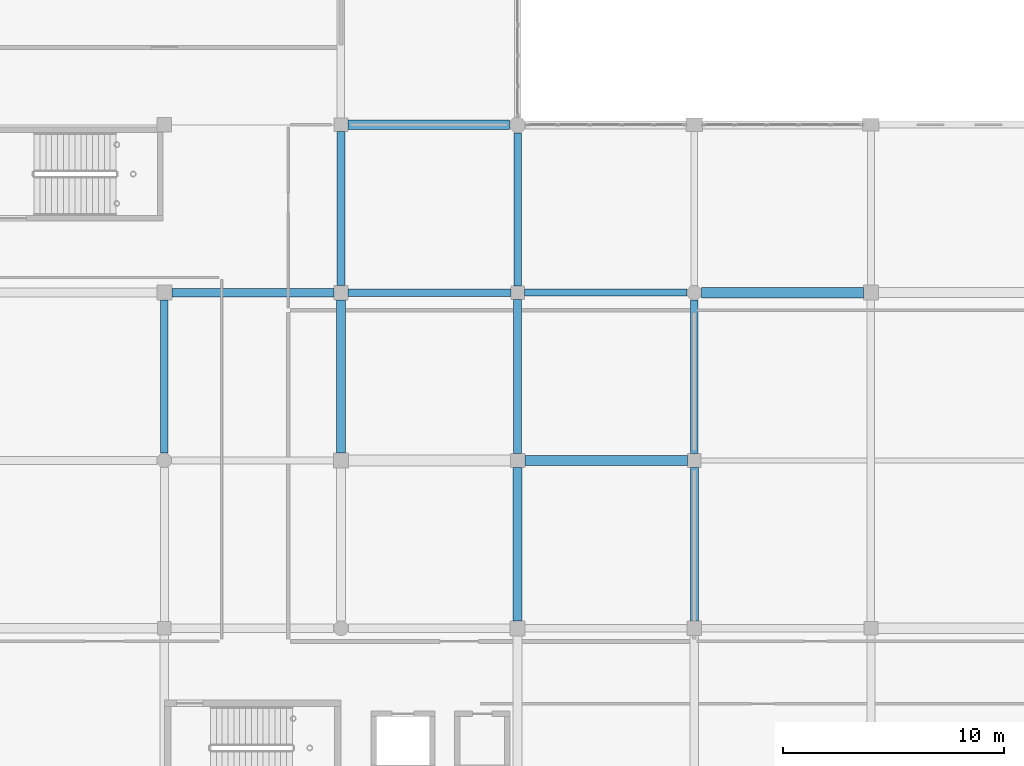
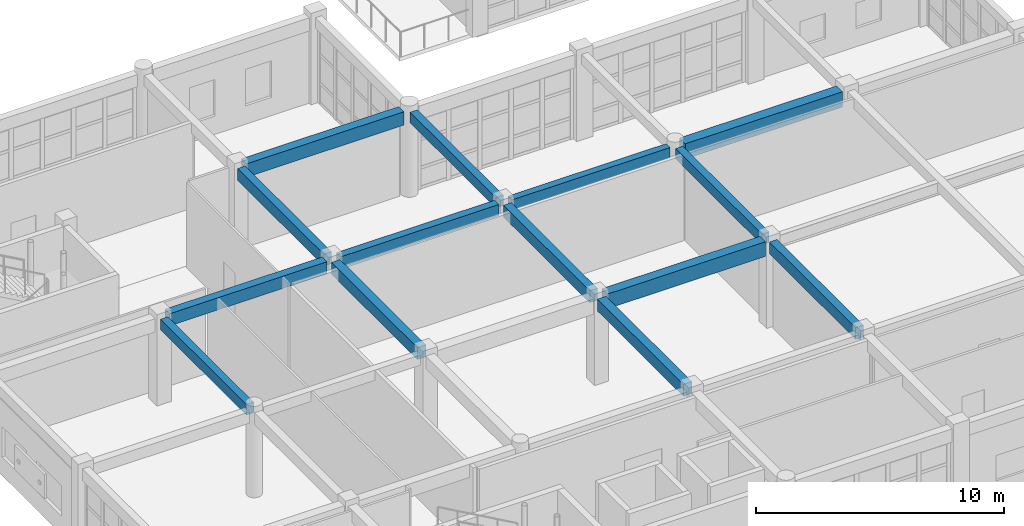
# One storey, part 84 of 160: 14 beams.
"""IFC4 building model written with IfcOpenShell, lengths in metres."""

from ifc_helpers import new_model, si_unit, direction, frame, origin, origin_2d, place, context, subcontext, project, spatial, rectangle, extrude, material, material_profile, profile_set, type_object, element, save


model = new_model("IFC4")

# Units and contexts
model_context = context("Model", 3, precision=1e-05, world=origin(), true_north=direction((0.0, 1.0)))
body_context = subcontext(model_context, "Body", "Model", "MODEL_VIEW")
ifc_project = project(units=[si_unit("LENGTHUNIT", "METRE"), si_unit("AREAUNIT", "SQUARE_METRE"), si_unit("VOLUMEUNIT", "CUBIC_METRE"), si_unit("PLANEANGLEUNIT", "RADIAN"), si_unit("MASSUNIT", "GRAM", prefix="KILO")], contexts=[model_context])

# Site, building, storey
site_placement = place(None, origin())
site = spatial("IfcSite", under=ifc_project, at=site_placement, CompositionType="ELEMENT")
building_placement = place(site_placement, origin())
building = spatial("IfcBuilding", under=site, at=building_placement, Name="Kharva Crest Polytechnic", CompositionType="ELEMENT")
storey_placement = place(building_placement, frame((0.0, 0.0, 4.5)))
storey = spatial("IfcBuildingStorey", under=building, at=storey_placement, Name="L01", CompositionType="ELEMENT", Elevation=4.5)

# Beams
ifc_material = material(Name="Concrete C35/45", Category="concrete")
ifc_material_profile_1 = material_profile(ifc_material, rectangle(XDim=0.320068359375, YDim=0.5, at=origin_2d()), Name="RECT 320 X 500")
ifc_profile_set_1 = profile_set([ifc_material_profile_1], Name="Concrete C35/45")
beam_type_1 = type_object("IfcBeamType", Name="BM-RC-320X500", PredefinedType="BEAM", material=ifc_profile_set_1)
beam_1_placement = place(storey_placement, frame((145.110107421875, 22.800048828125, 3.969970703125), z_axis=(1.0, 0.0, 0.0), x_axis=(0.0, 1.0, 0.0)))
element("IfcBeam", 1, at=beam_1_placement, inside=storey, type_object=beam_type_1, Name="L01 Beam D/19-20", PredefinedType="BEAM", context=body_context, shape_type="SweptSolid", body=[
    extrude(rectangle(XDim=0.320068359375, YDim=0.5, at=origin_2d()), origin(), (0.0, 0.0, 1.0), 7.35986328125),
])
ifc_material_profile_2 = material_profile(ifc_material, rectangle(XDim=0.340087890625, YDim=0.52001953125, at=origin_2d()), Name="RECT 340 X 520")
ifc_profile_set_2 = profile_set([ifc_material_profile_2], Name="Concrete C35/45")
beam_type_2 = type_object("IfcBeamType", Name="BM-RC-340X520", PredefinedType="BEAM", material=ifc_profile_set_2)
for number, where, z_axis, x_axis, name in (
    (2, (128.800048828125, 15.530029296875, 3.9599609375), (0.0, 1.0, 0.0), (-1.0, 0.0, 0.0), "L01 Girder 17/C-D"),
    (3, (144.800048828125, 23.110107421875, 3.9599609375), (0.0, 1.0, 0.0), (-1.0, 0.0, 0.0), "L01 Girder 19/D-E"),
):
    element("IfcBeam", number, at=place(storey_placement, frame(where, z_axis=z_axis, x_axis=x_axis)), inside=storey, type_object=beam_type_2, Name=name, PredefinedType="BEAM", context=body_context, shape_type="SweptSolid", body=[
        extrude(rectangle(XDim=0.340087890625, YDim=0.52001953125, at=origin_2d()), origin(), (0.0, 0.0, 1.0), 6.929931640625),
    ])
beam_2_placement = place(storey_placement, frame((152.800048828125, 15.510009765625, 3.9599609375), z_axis=(0.0, 1.0, 0.0), x_axis=(-1.0, 0.0, 0.0)))
element("IfcBeam", 4, at=beam_2_placement, inside=storey, type_object=beam_type_2, Name="L01 Girder 20/C-D", PredefinedType="BEAM", context=body_context, shape_type="SweptSolid", body=[
    extrude(rectangle(XDim=0.340087890625, YDim=0.52001953125, at=origin_2d()), origin(), (0.0, 0.0, 1.0), 6.9599609375),
])
ifc_material_profile_3 = material_profile(ifc_material, rectangle(XDim=0.35009765625, YDim=0.550048828125, at=origin_2d()), Name="RECT 350 X 550")
ifc_profile_set_3 = profile_set([ifc_material_profile_3], Name="Concrete C35/45")
beam_type_3 = type_object("IfcBeamType", Name="BM-RC-350X550", PredefinedType="BEAM", material=ifc_profile_set_3)
beam_3_placement = place(storey_placement, frame((137.125, 22.800048828125, 3.945068359375), z_axis=(1.0, 0.0, 0.0), x_axis=(0.0, 1.0, 0.0)))
element("IfcBeam", 5, at=beam_3_placement, inside=storey, type_object=beam_type_3, Name="L01 Beam D/18-19", PredefinedType="BEAM", context=body_context, shape_type="SweptSolid", body=[
    extrude(rectangle(XDim=0.35009765625, YDim=0.550048828125, at=origin_2d()), origin(), (0.0, 0.0, 1.0), 7.364990234375),
])
ifc_material_profile_4 = material_profile(ifc_material, rectangle(XDim=0.360107421875, YDim=0.580078125, at=origin_2d()), Name="RECT 360 X 580")
ifc_profile_set_4 = profile_set([ifc_material_profile_4], Name="Concrete C35/45")
beam_type_4 = type_object("IfcBeamType", Name="BM-RC-360X580", PredefinedType="BEAM", material=ifc_profile_set_4)
for number, where, z_axis, x_axis, name in (
    (6, (136.800048828125, 23.125, 3.929931640625), (0.0, 1.0, 0.0), (-1.0, 0.0, 0.0), "L01 Girder 18/D-E"),
    (7, (144.800048828125, 15.52490234375, 3.929931640625), (0.0, 1.0, 0.0), (-1.0, 0.0, 0.0), "L01 Girder 19/C-D"),
):
    element("IfcBeam", number, at=place(storey_placement, frame(where, z_axis=z_axis, x_axis=x_axis)), inside=storey, type_object=beam_type_4, Name=name, PredefinedType="BEAM", context=body_context, shape_type="SweptSolid", body=[
        extrude(rectangle(XDim=0.360107421875, YDim=0.580078125, at=origin_2d()), origin(), (0.0, 0.0, 1.0), 6.965087890625),
    ])
beam_4_placement = place(storey_placement, frame((152.800048828125, 7.925048828125, 3.929931640625), z_axis=(0.0, 1.0, 0.0), x_axis=(-1.0, 0.0, 0.0)))
element("IfcBeam", 8, at=beam_4_placement, inside=storey, type_object=beam_type_4, Name="L01 Girder 20/B-C", PredefinedType="BEAM", context=body_context, shape_type="SweptSolid", body=[
    extrude(rectangle(XDim=0.360107421875, YDim=0.580078125, at=origin_2d()), origin(), (0.0, 0.0, 1.0), 6.96484375),
])
ifc_material_profile_5 = material_profile(ifc_material, rectangle(XDim=0.3798828125, YDim=0.60009765625, at=origin_2d()), Name="RECT 380 X 600")
ifc_profile_set_5 = profile_set([ifc_material_profile_5], Name="Concrete C35/45")
beam_type_5 = type_object("IfcBeamType", Name="BM-RC-380X600", PredefinedType="BEAM", material=ifc_profile_set_5)
beam_5_placement = place(storey_placement, frame((129.139892578125, 22.800048828125, 3.919921875), z_axis=(1.0, 0.0, 0.0), x_axis=(0.0, 1.0, 0.0)))
element("IfcBeam", 9, at=beam_5_placement, inside=storey, type_object=beam_type_5, Name="L01 Beam D/17-18", PredefinedType="BEAM", context=body_context, shape_type="SweptSolid", body=[
    extrude(rectangle(XDim=0.3798828125, YDim=0.60009765625, at=origin_2d()), origin(), (0.0, 0.0, 1.0), 7.335205078125),
])
ifc_material_profile_6 = material_profile(ifc_material, rectangle(XDim=0.39990234375, YDim=0.580078125, at=origin_2d()), Name="RECT 400 X 580")
ifc_profile_set_6 = profile_set([ifc_material_profile_6], Name="Concrete C35/45")
beam_type_6 = type_object("IfcBeamType", Name="BM-RC-400X580", PredefinedType="BEAM", material=ifc_profile_set_6)
for number, where, z_axis, x_axis, name in (
    (10, (136.800048828125, 15.5400390625, 3.929931640625), (0.0, 1.0, 0.0), (-1.0, 0.0, 0.0), "L01 Girder 18/C-D"),
    (11, (144.800048828125, 7.93994140625, 3.929931640625), (0.0, 1.0, 0.0), (-1.0, 0.0, 0.0), "L01 Girder 19/B-C"),
):
    element("IfcBeam", number, at=place(storey_placement, frame(where, z_axis=z_axis, x_axis=x_axis)), inside=storey, type_object=beam_type_6, Name=name, PredefinedType="BEAM", context=body_context, shape_type="SweptSolid", body=[
        extrude(rectangle(XDim=0.39990234375, YDim=0.580078125, at=origin_2d()), origin(), (0.0, 0.0, 1.0), 6.93505859375),
    ])
ifc_material_profile_7 = material_profile(ifc_material, rectangle(XDim=0.419921875, YDim=0.659912109375, at=origin_2d()), Name="RECT 420 X 660")
ifc_profile_set_7 = profile_set([ifc_material_profile_7], Name="Concrete C35/45")
beam_type_7 = type_object("IfcBeamType", Name="BM-RC-420X660", PredefinedType="BEAM", material=ifc_profile_set_7)
beam_6_placement = place(storey_placement, frame((137.110107421875, 30.39990234375, 3.889892578125), z_axis=(1.0, 0.0, 0.0), x_axis=(0.0, 1.0, 0.0)))
element("IfcBeam", 12, at=beam_6_placement, inside=storey, type_object=beam_type_7, Name="L01 Beam E/18-19", PredefinedType="BEAM", context=body_context, shape_type="SweptSolid", body=[
    extrude(rectangle(XDim=0.419921875, YDim=0.659912109375, at=origin_2d()), origin(), (0.0, 0.0, 1.0), 7.329833984375),
])
ifc_material_profile_8 = material_profile(ifc_material, rectangle(XDim=0.449951171875, YDim=0.719970703125, at=origin_2d()), Name="RECT 450 X 720")
ifc_profile_set_8 = profile_set([ifc_material_profile_8], Name="Concrete C35/45")
beam_type_8 = type_object("IfcBeamType", Name="BM-RC-450X720", PredefinedType="BEAM", material=ifc_profile_set_8)
beam_7_placement = place(storey_placement, frame((145.125, 15.199951171875, 3.860107421875), z_axis=(1.0, 0.0, 0.0), x_axis=(0.0, 1.0, 0.0)))
element("IfcBeam", 13, at=beam_7_placement, inside=storey, type_object=beam_type_8, Name="L01 Beam C/19-20", PredefinedType="BEAM", context=body_context, shape_type="SweptSolid", body=[
    extrude(rectangle(XDim=0.449951171875, YDim=0.719970703125, at=origin_2d()), origin(), (0.0, 0.0, 1.0), 7.364990234375),
])
ifc_material_profile_9 = material_profile(ifc_material, rectangle(XDim=0.47998046875, YDim=0.75, at=origin_2d()), Name="RECT 480 X 750")
ifc_profile_set_9 = profile_set([ifc_material_profile_9], Name="Concrete C35/45")
beam_type_9 = type_object("IfcBeamType", Name="BM-RC-480X750", PredefinedType="BEAM", material=ifc_profile_set_9)
beam_8_placement = place(storey_placement, frame((153.1298828125, 22.800048828125, 3.844970703125), z_axis=(1.0, 0.0, 0.0), x_axis=(0.0, 1.0, 0.0)))
element("IfcBeam", 14, at=beam_8_placement, inside=storey, type_object=beam_type_9, Name="L01 Beam D/20-21", PredefinedType="BEAM", context=body_context, shape_type="SweptSolid", body=[
    extrude(rectangle(XDim=0.47998046875, YDim=0.75, at=origin_2d()), origin(), (0.0, 0.0, 1.0), 7.330078125),
])

save(model, "model.ifc")
